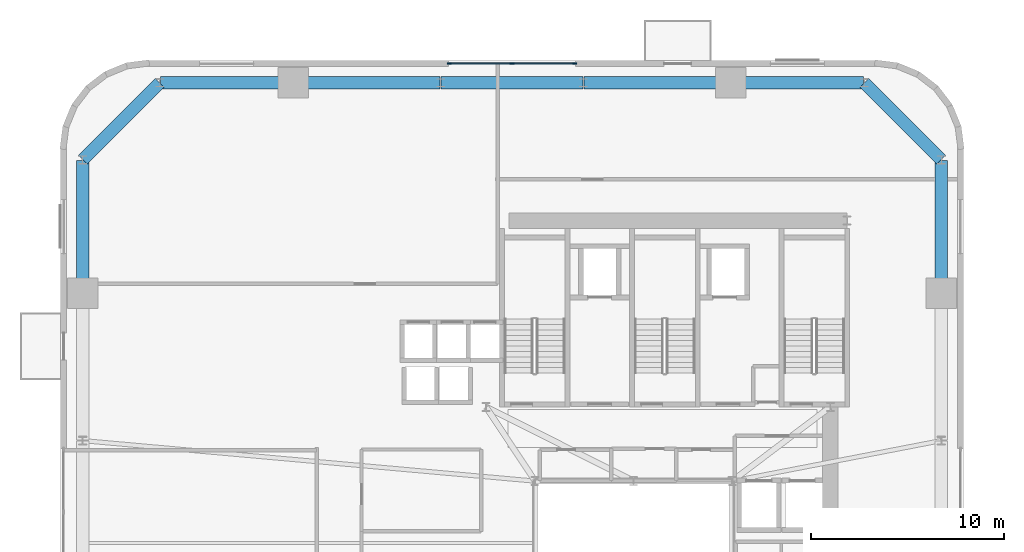
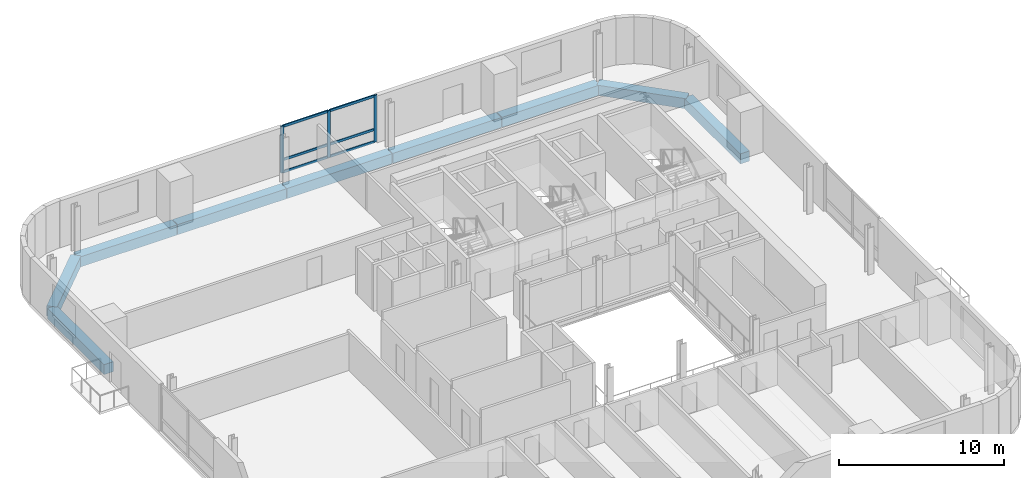
# One storey, part 4 of 14: 9 beams, 9 members, 1 element without a shape of its own.
"""IFC4 building model written with IfcOpenShell, lengths in metres."""

from ifc_helpers import new_model, si_unit, direction, frame, origin, origin_2d, place, context, subcontext, project, spatial, rectangle, extrude, source, transform, mapped, material, material_profile, profile_set, type_object, element, aggregate, save


model = new_model("IFC4")

# Units and contexts
model_context = context("Model", 3, precision=1e-05, world=origin(), true_north=direction((0.0, 1.0)))
body_context = subcontext(model_context, "Body", "Model", "MODEL_VIEW")
ifc_project = project(units=[si_unit("LENGTHUNIT", "METRE"), si_unit("AREAUNIT", "SQUARE_METRE"), si_unit("VOLUMEUNIT", "CUBIC_METRE"), si_unit("PLANEANGLEUNIT", "RADIAN"), si_unit("MASSUNIT", "GRAM", prefix="KILO")], contexts=[model_context])

# Site, building, storey
site_placement = place(None, origin())
site = spatial("IfcSite", under=ifc_project, at=site_placement, CompositionType="ELEMENT")
building_placement = place(site_placement, origin())
building = spatial("IfcBuilding", under=site, at=building_placement, Name="Vardaveli Station Tower", CompositionType="ELEMENT")
storey_placement = place(building_placement, frame((0.0, 0.0, 126.10009765625)))
storey = spatial("IfcBuildingStorey", under=building, at=storey_placement, Name="L32", CompositionType="ELEMENT", Elevation=126.10009765625)

# Beams
ifc_material_1 = material(Name="Precast concrete C45/55", Category="concrete")
ifc_material_profile_1 = material_profile(ifc_material_1, rectangle(XDim=0.64990234375, YDim=0.75, at=origin_2d()), Name="LPB 650x750")
ifc_profile_set_1 = profile_set([ifc_material_profile_1], Name="Precast concrete C45/55")
beam_type = type_object("IfcBeamType", Name="BM-LPB-750", PredefinedType="BEAM", material=ifc_profile_set_1)
shared_shape_1 = source(origin(), body_context, "Body", "SweptSolid", [
    extrude(rectangle(XDim=0.64990234375, YDim=0.75, at=origin_2d()), origin(), (0.0, 0.0, 1.0), 7.60009765625),
])
for number, where, z_axis, x_axis, name in (
    (1, (41.320068359375, 47.449951171875, -0.614990234375), (-1.0, 0.0, 0.0), (0.0, -1.0, 0.0), "RBM-L32-13"),
    (2, (26.280029296875, 47.449951171875, -0.614990234375), (-1.0, 0.0, 0.0), (0.0, -1.0, 0.0), "RBM-L32-15"),
):
    element("IfcBeam", number, at=place(storey_placement, frame(where, z_axis=z_axis, x_axis=x_axis)), inside=storey, type_object=beam_type, Name=name, PredefinedType="BEAM", context=body_context, shape_type="MappedRepresentation", body=[
        mapped(shared_shape_1, transform((0.0, 0.0, 0.0), scale=1.0)),
    ])
shared_shape_2 = source(origin(), body_context, "Body", "SweptSolid", [
    extrude(rectangle(XDim=0.64990234375, YDim=0.75, at=origin_2d()), origin(), (0.0, 0.0, 1.0), 7.35986328125),
])
beam_placement = place(storey_placement, frame((33.679931640625, 47.449951171875, -0.614990234375), z_axis=(-1.0, 0.0, 0.0), x_axis=(0.0, -1.0, 0.0)))
element("IfcBeam", 3, at=beam_placement, inside=storey, type_object=beam_type, Name="RBM-L32-14", PredefinedType="BEAM", context=body_context, shape_type="MappedRepresentation", body=[
    mapped(shared_shape_2, transform((0.0, 0.0, 0.0), scale=1.0)),
])
shared_shape_3 = source(origin(), body_context, "Body", "SweptSolid", [
    extrude(rectangle(XDim=0.64990234375, YDim=0.75, at=origin_2d()), origin(), (0.0, 0.0, 1.0), 6.869873046875),
])
for number, where, z_axis, x_axis, name in (
    (4, (52.25, 36.56005859375, -0.614990234375), (0.0, 1.0, 0.0), (-1.0, 0.0, 0.0), "RBM-L32-10"),
    (5, (48.22998046875, 47.449951171875, -0.614990234375), (-1.0, 0.0, 0.0), (0.0, -1.0, 0.0), "RBM-L32-12"),
    (6, (18.639892578125, 47.449951171875, -0.614990234375), (-1.0, 0.0, 0.0), (0.0, -1.0, 0.0), "RBM-L32-16"),
    (7, (7.75, 43.429931640625, -0.614990234375), (0.0, -1.0, 0.0), (1.0, 0.0, 0.0), "RBM-L32-18"),
):
    element("IfcBeam", number, at=place(storey_placement, frame(where, z_axis=z_axis, x_axis=x_axis)), inside=storey, type_object=beam_type, Name=name, PredefinedType="BEAM", context=body_context, shape_type="MappedRepresentation", body=[
        mapped(shared_shape_3, transform((0.0, 0.0, 0.0), scale=1.0)),
    ])
shared_shape_4 = source(origin(), body_context, "Body", "SweptSolid", [
    extrude(rectangle(XDim=0.64990234375, YDim=0.75, at=origin_2d()), origin(), (0.0, 0.0, 1.0), 5.61669921875),
])
for number, where, z_axis, x_axis, name in (
    (8, (52.23583984375, 43.464111328125, -0.614990234375), (-0.707106781187, 0.707106781187, 0.0), (-0.707106781187, -0.707106781187, 0.0), "RBM-L32-11"),
    (9, (11.73583984375, 47.435791015625, -0.614990234375), (-0.707106781187, -0.707106781187, 0.0), (0.707106781187, -0.707106781187, 0.0), "RBM-L32-17"),
):
    element("IfcBeam", number, at=place(storey_placement, frame(where, z_axis=z_axis, x_axis=x_axis)), inside=storey, type_object=beam_type, Name=name, PredefinedType="BEAM", context=body_context, shape_type="MappedRepresentation", body=[
        mapped(shared_shape_4, transform((0.0, 0.0, 0.0), scale=1.0)),
    ])

# Curtain wall, members
ifc_material_2 = material(Name="Travertine stone and solar-control glass", Category="masonry")
curtain_wall_type = type_object("IfcCurtainWallType", Name="CW-SYS-2", PredefinedType="NOTDEFINED", material=ifc_material_2)
curtain_wall_placement = place(storey_placement, origin())
curtain_wall = element("IfcCurtainWall", 10, at=curtain_wall_placement, inside=storey, type_object=curtain_wall_type, Name="CW-L32-N", PredefinedType="NOTDEFINED")
ifc_material_3 = material(Name="Anodised aluminium alloy 6063-T6", Category="aluminium")
ifc_material_profile_2 = material_profile(ifc_material_3, rectangle(XDim=0.0849609375, YDim=0.179931640625, at=origin_2d()), Name="CWT 85x180")
ifc_profile_set_2 = profile_set([ifc_material_profile_2], Name="Anodised aluminium alloy 6063-T6")
member_type_1 = type_object("IfcMemberType", Name="CW-SYS-2-TRAN", PredefinedType="NOTDEFINED", material=ifc_profile_set_2)
shared_shape_5 = source(origin(), body_context, "Body", "SweptSolid", [
    extrude(rectangle(XDim=0.0849609375, YDim=0.179931640625, at=origin_2d()), origin(), (0.0, 0.0, 1.0), 3.172607421875),
])
member_1_placement = place(storey_placement, frame((33.215087890625, 48.43994140625, 0.04248046875), z_axis=(-1.0, 0.0, 0.0), x_axis=(0.0, -1.0, 0.0)))
member_1 = element("IfcMember", 11, at=member_1_placement, type_object=member_type_1, Name="CW-2 transom 1.1", ObjectType="TRANSOM", PredefinedType="USERDEFINED", context=body_context, shape_type="MappedRepresentation", body=[
    mapped(shared_shape_5, transform((0.0, 0.0, 0.0), scale=1.0)),
])
member_2_placement = place(storey_placement, frame((33.215087890625, 48.43994140625, 0.949951171875), z_axis=(-1.0, 0.0, 0.0), x_axis=(0.0, -1.0, 0.0)))
member_2 = element("IfcMember", 12, at=member_2_placement, type_object=member_type_1, Name="CW-2 transom 1.2", ObjectType="TRANSOM", PredefinedType="USERDEFINED", context=body_context, shape_type="MappedRepresentation", body=[
    mapped(shared_shape_5, transform((0.0, 0.0, 0.0), scale=1.0)),
])
member_3_placement = place(storey_placement, frame((33.215087890625, 48.43994140625, 3.41748046875), z_axis=(-1.0, 0.0, 0.0), x_axis=(0.0, -1.0, 0.0)))
member_3 = element("IfcMember", 13, at=member_3_placement, type_object=member_type_1, Name="CW-2 transom 1.3", ObjectType="TRANSOM", PredefinedType="USERDEFINED", context=body_context, shape_type="MappedRepresentation", body=[
    mapped(shared_shape_5, transform((0.0, 0.0, 0.0), scale=1.0)),
])
member_4_placement = place(storey_placement, frame((29.95751953125, 48.43994140625, 0.04248046875), z_axis=(-1.0, 0.0, 0.0), x_axis=(0.0, -1.0, 0.0)))
member_4 = element("IfcMember", 14, at=member_4_placement, type_object=member_type_1, Name="CW-2 transom 2.1", ObjectType="TRANSOM", PredefinedType="USERDEFINED", context=body_context, shape_type="MappedRepresentation", body=[
    mapped(shared_shape_5, transform((0.0, 0.0, 0.0), scale=1.0)),
])
member_5_placement = place(storey_placement, frame((29.95751953125, 48.43994140625, 0.949951171875), z_axis=(-1.0, 0.0, 0.0), x_axis=(0.0, -1.0, 0.0)))
member_5 = element("IfcMember", 15, at=member_5_placement, type_object=member_type_1, Name="CW-2 transom 2.2", ObjectType="TRANSOM", PredefinedType="USERDEFINED", context=body_context, shape_type="MappedRepresentation", body=[
    mapped(shared_shape_5, transform((0.0, 0.0, 0.0), scale=1.0)),
])
member_6_placement = place(storey_placement, frame((29.95751953125, 48.43994140625, 3.41748046875), z_axis=(-1.0, 0.0, 0.0), x_axis=(0.0, -1.0, 0.0)))
member_6 = element("IfcMember", 16, at=member_6_placement, type_object=member_type_1, Name="CW-2 transom 2.3", ObjectType="TRANSOM", PredefinedType="USERDEFINED", context=body_context, shape_type="MappedRepresentation", body=[
    mapped(shared_shape_5, transform((0.0, 0.0, 0.0), scale=1.0)),
])
ifc_material_profile_3 = material_profile(ifc_material_3, rectangle(XDim=0.0849609375, YDim=0.219970703125, at=origin_2d()), Name="CWM 85x220")
ifc_profile_set_3 = profile_set([ifc_material_profile_3], Name="Anodised aluminium alloy 6063-T6")
member_type_2 = type_object("IfcMemberType", Name="CW-SYS-2-MULL", PredefinedType="MULLION", material=ifc_profile_set_3)
shared_shape_6 = source(origin(), body_context, "Body", "SweptSolid", [
    extrude(rectangle(XDim=0.0849609375, YDim=0.219970703125, at=origin_2d()), origin(), (0.0, 0.0, 1.0), 3.4599609375),
])
member_7_placement = place(storey_placement, frame((33.257568359375, 48.43994140625, 0.0), z_axis=(0.0, 0.0, 1.0), x_axis=(0.0, -1.0, 0.0)))
member_7 = element("IfcMember", 17, at=member_7_placement, type_object=member_type_2, Name="CW-2 mullion 1", PredefinedType="MULLION", context=body_context, shape_type="MappedRepresentation", body=[
    mapped(shared_shape_6, transform((0.0, 0.0, 0.0), scale=1.0)),
])
member_8_placement = place(storey_placement, frame((30.0, 48.43994140625, 0.0), z_axis=(0.0, 0.0, 1.0), x_axis=(0.0, -1.0, 0.0)))
member_8 = element("IfcMember", 18, at=member_8_placement, type_object=member_type_2, Name="CW-2 mullion 2", PredefinedType="MULLION", context=body_context, shape_type="MappedRepresentation", body=[
    mapped(shared_shape_6, transform((0.0, 0.0, 0.0), scale=1.0)),
])
member_9_placement = place(storey_placement, frame((26.742431640625, 48.43994140625, 0.0), z_axis=(0.0, 0.0, 1.0), x_axis=(0.0, -1.0, 0.0)))
member_9 = element("IfcMember", 19, at=member_9_placement, type_object=member_type_2, Name="CW-2 mullion 3", PredefinedType="MULLION", context=body_context, shape_type="MappedRepresentation", body=[
    mapped(shared_shape_6, transform((0.0, 0.0, 0.0), scale=1.0)),
])
aggregate(curtain_wall, [member_7, member_8, member_9, member_1, member_2, member_3, member_4, member_5, member_6])

save(model, "model.ifc")
